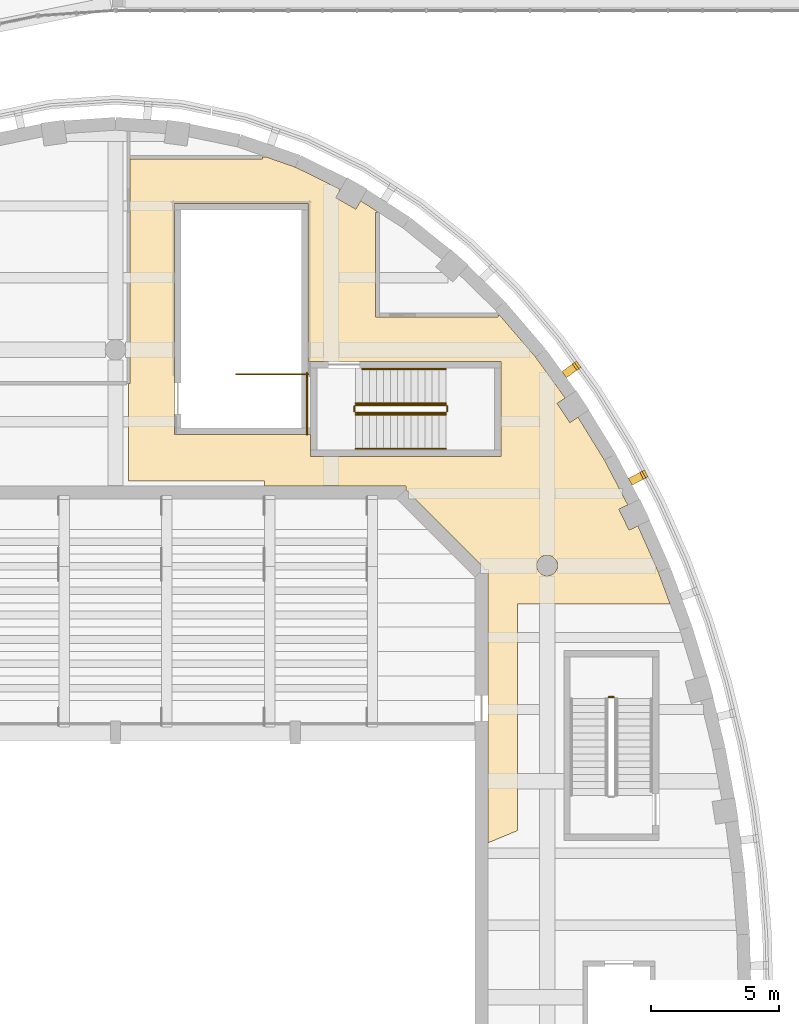
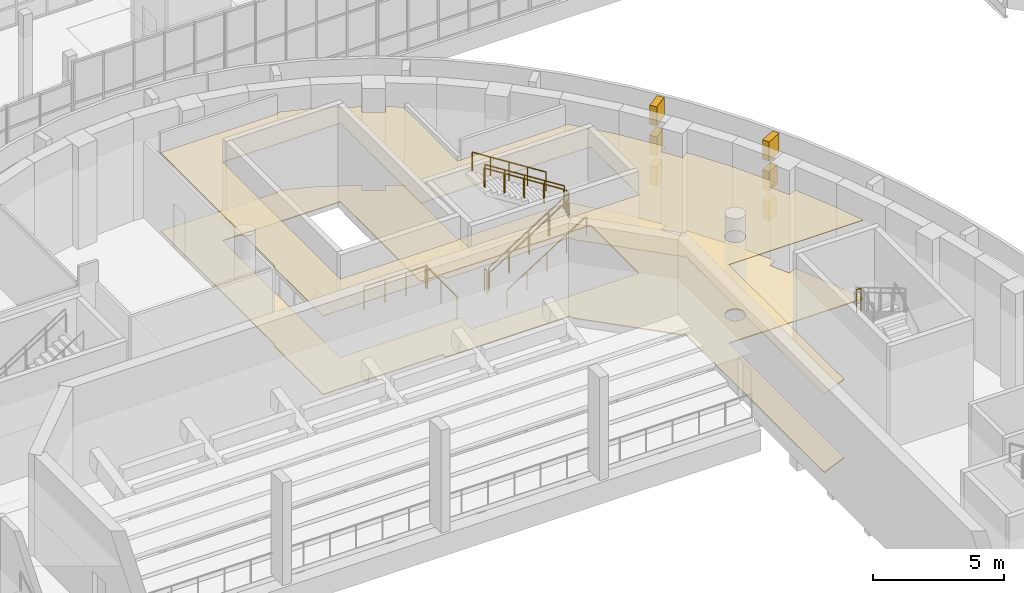
# One storey, part 97 of 103: 11 railings, 8 coverings.
"""IFC4 building model written with IfcOpenShell, lengths in metres."""

from ifc_helpers import new_model, si_unit, direction, frame, origin, origin_2d, place, context, subcontext, project, spatial, polyline, rectangle, circle, outline, extrude, material, layer, layer_set, type_object, element, save


model = new_model("IFC4")

# Units and contexts
model_context = context("Model", 3, precision=1e-05, world=origin(), true_north=direction((0.0, 1.0)))
body_context = subcontext(model_context, "Body", "Model", "MODEL_VIEW")
ifc_project = project(units=[si_unit("LENGTHUNIT", "METRE"), si_unit("AREAUNIT", "SQUARE_METRE"), si_unit("VOLUMEUNIT", "CUBIC_METRE"), si_unit("PLANEANGLEUNIT", "RADIAN"), si_unit("MASSUNIT", "GRAM", prefix="KILO")], contexts=[model_context])

# Site, building, storey
site_placement = place(None, origin())
site = spatial("IfcSite", under=ifc_project, at=site_placement, CompositionType="ELEMENT")
building_placement = place(site_placement, origin())
building = spatial("IfcBuilding", under=site, at=building_placement, Name="Larchfold Concert Hall", CompositionType="ELEMENT")
storey_placement = place(building_placement, frame((0.0, 0.0, 9.60009765625)))
storey = spatial("IfcBuildingStorey", under=building, at=storey_placement, Name="L02", CompositionType="ELEMENT", Elevation=9.60009765625)

# Coverings
ifc_material_1 = material(Name="Plasterboard ceiling lining")
ifc_layer_1 = layer(ifc_material_1, 0.030029296875)
ifc_layer_set_1 = layer_set([ifc_layer_1], Name="Plasterboard ceiling lining")
covering_type_1 = type_object("IfcCoveringType", Name="Ceiling suspended plasterboard 30", PredefinedType="CEILING", material=ifc_layer_set_1)
covering_1_placement = place(storey_placement, frame((0.0, 0.0, 3.669921875)))
element("IfcCovering", 1, at=covering_1_placement, inside=storey, type_object=covering_type_1, Name="Ceiling Hall Foyer North East", PredefinedType="CEILING", context=body_context, shape_type="SweptSolid", body=[
    extrude(outline(polyline([(43.16357421875, 108.47998046875), (43.100830078125, 108.47998046875), (43.100830078125, 104.700927734375), (48.391845703125, 104.700927734375), (48.40087890625, 104.69189453125), (48.40087890625, 104.5), (53.89990234375, 104.5), (53.89990234375, 104.353759765625), (56.9541015625, 101.299560546875), (56.92724609375, 101.272705078125), (56.948974609375, 101.251220703125), (57.10009765625, 101.251220703125), (57.10009765625, 90.606201171875), (58.25, 91.08251953125), (58.252197265625, 99.896484375), (64.19384765625, 99.900146484375), (63.731201171875, 101.1513671875), (62.93701171875, 102.948974609375), (62.58984375, 102.781982421875), (62.199951171875, 103.59326171875), (62.546875, 103.759765625), (61.635498046875, 105.50341796875), (60.60595703125, 107.17626953125), (60.287353515625, 106.963623046875), (59.787841796875, 107.712158203125), (60.10595703125, 107.924560546875), (58.953857421875, 109.514892578125), (57.553955078125, 111.149169921875), (57.4990234375, 111.149169921875), (57.4990234375, 111.073974609375), (52.72900390625, 111.075927734375), (52.72509765625, 115.136962890625), (52.800048828125, 115.136962890625), (52.800048828125, 115.1767578125), (52.14208984375, 115.600830078125), (51.95703125, 115.275390625), (51.1748046875, 115.72021484375), (51.359130859375, 116.04443359375), (49.609130859375, 116.90771484375), (48.48388671875, 117.299560546875), (48.327880859375, 117.299560546875), (48.327880859375, 117.235595703125), (43.16357421875, 117.236572265625), (43.16357421875, 108.47998046875)]), holes=[polyline([(59.29638671875, 101.013427734375), (59.199951171875, 101.053466796875), (59.156494140625, 101.08251953125), (59.08251953125, 101.156494140625), (59.0302734375, 101.246826171875), (59.013427734375, 101.29638671875), (59.00341796875, 101.34765625), (59.00341796875, 101.4521484375), (59.0302734375, 101.552978515625), (59.053466796875, 101.599853515625), (59.08251953125, 101.643310546875), (59.156494140625, 101.71728515625), (59.246826171875, 101.76953125), (59.29638671875, 101.786376953125), (59.39990234375, 101.7998046875), (59.4521484375, 101.79638671875), (59.50341796875, 101.786376953125), (59.599853515625, 101.746337890625), (59.643310546875, 101.71728515625), (59.71728515625, 101.643310546875), (59.76953125, 101.552978515625), (59.786376953125, 101.50341796875), (59.79638671875, 101.4521484375), (59.79638671875, 101.34765625), (59.76953125, 101.246826171875), (59.746337890625, 101.199951171875), (59.71728515625, 101.156494140625), (59.643310546875, 101.08251953125), (59.552978515625, 101.0302734375), (59.50341796875, 101.013427734375), (59.39990234375, 101.0), (59.34765625, 101.00341796875), (59.29638671875, 101.013427734375)]), polyline([(50.10009765625, 109.35009765625), (57.60009765625, 109.35009765625), (57.60009765625, 105.64990234375), (50.199951171875, 105.64990234375), (50.199951171875, 106.5), (44.89990234375, 106.5), (44.89990234375, 115.5), (50.10009765625, 115.5), (50.10009765625, 109.35009765625)])]), origin(), (0.0, 0.0, 1.0), 0.030029296875),
])
ifc_material_2 = material(Name="Polished terrazzo")
ifc_layer_2 = layer(ifc_material_2, 0.0400390625)
ifc_layer_set_2 = layer_set([ifc_layer_2], Name="Polished terrazzo")
covering_type_2 = type_object("IfcCoveringType", Name="Floor finish terrazzo 40", PredefinedType="FLOORING", material=ifc_layer_set_2)
covering_2_placement = place(storey_placement, origin())
element("IfcCovering", 2, at=covering_2_placement, inside=storey, type_object=covering_type_2, Name="Floor finish Hall Foyer North East", PredefinedType="FLOORING", context=body_context, shape_type="SweptSolid", body=[
    extrude(outline(polyline([(43.16357421875, 108.47998046875), (43.100830078125, 108.47998046875), (43.100830078125, 104.700927734375), (48.391845703125, 104.700927734375), (48.40087890625, 104.69189453125), (48.40087890625, 104.5), (53.89990234375, 104.5), (53.89990234375, 104.353759765625), (56.9541015625, 101.299560546875), (56.92724609375, 101.272705078125), (56.948974609375, 101.251220703125), (57.10009765625, 101.251220703125), (57.10009765625, 90.606201171875), (58.25, 91.08251953125), (58.252197265625, 99.896484375), (64.19384765625, 99.900146484375), (63.731201171875, 101.1513671875), (62.93701171875, 102.948974609375), (62.58984375, 102.781982421875), (62.199951171875, 103.59326171875), (62.546875, 103.759765625), (61.635498046875, 105.50341796875), (60.60595703125, 107.17626953125), (60.287353515625, 106.963623046875), (59.787841796875, 107.712158203125), (60.10595703125, 107.924560546875), (58.953857421875, 109.514892578125), (57.553955078125, 111.149169921875), (57.4990234375, 111.149169921875), (57.4990234375, 111.073974609375), (52.72900390625, 111.075927734375), (52.72509765625, 115.136962890625), (52.800048828125, 115.136962890625), (52.800048828125, 115.1767578125), (52.14208984375, 115.600830078125), (51.95703125, 115.275390625), (51.1748046875, 115.72021484375), (51.359130859375, 116.04443359375), (49.609130859375, 116.90771484375), (48.48388671875, 117.299560546875), (48.327880859375, 117.299560546875), (48.327880859375, 117.235595703125), (43.16357421875, 117.236572265625), (43.16357421875, 108.47998046875)]), holes=[polyline([(59.29638671875, 101.013427734375), (59.199951171875, 101.053466796875), (59.156494140625, 101.08251953125), (59.08251953125, 101.156494140625), (59.0302734375, 101.246826171875), (59.013427734375, 101.29638671875), (59.00341796875, 101.34765625), (59.00341796875, 101.4521484375), (59.0302734375, 101.552978515625), (59.053466796875, 101.599853515625), (59.08251953125, 101.643310546875), (59.156494140625, 101.71728515625), (59.246826171875, 101.76953125), (59.29638671875, 101.786376953125), (59.39990234375, 101.7998046875), (59.4521484375, 101.79638671875), (59.50341796875, 101.786376953125), (59.599853515625, 101.746337890625), (59.643310546875, 101.71728515625), (59.71728515625, 101.643310546875), (59.76953125, 101.552978515625), (59.786376953125, 101.50341796875), (59.79638671875, 101.4521484375), (59.79638671875, 101.34765625), (59.76953125, 101.246826171875), (59.746337890625, 101.199951171875), (59.71728515625, 101.156494140625), (59.643310546875, 101.08251953125), (59.552978515625, 101.0302734375), (59.50341796875, 101.013427734375), (59.39990234375, 101.0), (59.34765625, 101.00341796875), (59.29638671875, 101.013427734375)]), polyline([(50.10009765625, 109.35009765625), (57.60009765625, 109.35009765625), (57.60009765625, 105.64990234375), (50.199951171875, 105.64990234375), (50.199951171875, 106.5), (44.89990234375, 106.5), (44.89990234375, 115.5), (50.10009765625, 115.5), (50.10009765625, 109.35009765625)])]), origin(), (0.0, 0.0, 1.0), 0.0400390625),
])
ifc_material_3 = material(Name="Galvanised steel bracket", Category="steel")
ifc_layer_3 = layer(ifc_material_3, 0.300048828125)
ifc_layer_set_3 = layer_set([ifc_layer_3], Name="Galvanised steel bracket")
covering_type_3 = type_object("IfcCoveringType", Name="Ring support bracket", PredefinedType="CLADDING", material=ifc_layer_set_3)
for number, where, z_axis, x_axis, name in (
    (3, (62.860107421875, 104.779541015625, 1.349853515625), (0.0, 0.0, 1.0), (0.88627377699, 0.463161734409, 0.0), "Ring bracket BR-R03-05"),
    (4, (60.26904296875, 108.977783203125, 1.349853515625), (0.0, 0.0, 1.0), (0.809814943436, 0.586685398989, 0.0), "Ring bracket BR-R03-06"),
):
    element("IfcCovering", number, at=place(storey_placement, frame(where, z_axis=z_axis, x_axis=x_axis)), inside=storey, type_object=covering_type_3, Name=name, PredefinedType="CLADDING", context=body_context, shape_type="SweptSolid", body=[
        extrude(rectangle(XDim=0.5, YDim=0.300048828125, at=origin_2d()), origin(), (0.0, 0.0, 1.0), 0.89990234375),
    ])
for number, where, z_axis, x_axis, name in (
    (5, (62.904541015625, 104.802734375, 2.75), (0.0, 0.0, 1.0), (0.88627377699, 0.463161734409, 0.0), "Ring bracket BR-R04-05"),
    (6, (60.3095703125, 109.007080078125, 2.75), (0.0, 0.0, 1.0), (0.809814943436, 0.586685398989, 0.0), "Ring bracket BR-R04-06"),
):
    element("IfcCovering", number, at=place(storey_placement, frame(where, z_axis=z_axis, x_axis=x_axis)), inside=storey, type_object=covering_type_3, Name=name, PredefinedType="CLADDING", context=body_context, shape_type="SweptSolid", body=[
        extrude(rectangle(XDim=0.60009765625, YDim=0.300048828125, at=origin_2d()), origin(), (0.0, 0.0, 1.0), 0.89990234375),
    ])
for number, where, z_axis, x_axis, name in (
    (7, (62.94873046875, 104.825927734375, 4.14990234375), (0.0, 0.0, 1.0), (0.88627377699, 0.463161734409, 0.0), "Ring bracket BR-R05-05"),
    (8, (60.349853515625, 109.03662109375, 4.14990234375), (0.0, 0.0, 1.0), (0.809814943436, 0.586685398989, 0.0), "Ring bracket BR-R05-06"),
):
    element("IfcCovering", number, at=place(storey_placement, frame(where, z_axis=z_axis, x_axis=x_axis)), inside=storey, type_object=covering_type_3, Name=name, PredefinedType="CLADDING", context=body_context, shape_type="SweptSolid", body=[
        extrude(rectangle(XDim=0.699951171875, YDim=0.300048828125, at=origin_2d()), origin(), (0.0, 0.0, 1.0), 0.89990234375),
    ])

# Railings
ifc_material_4 = material(Name="Stainless steel balustrade", Category="steel")
railing_type_1 = type_object("IfcRailingType", Name="Stair guard 1100", PredefinedType="GUARDRAIL", material=ifc_material_4)
railing_1_placement = place(storey_placement, frame((62.0, 96.280029296875, 2.39990234375)))
element("IfcRailing", 9, at=railing_1_placement, inside=storey, type_object=railing_type_1, Name="Guard GR0004", PredefinedType="GUARDRAIL", context=body_context, shape_type="SweptSolid", body=[
    extrude(circle(Radius=0.02392578125, at=origin_2d()), frame((0.0, 0.0, 1.076171875), z_axis=(-1.0, 0.0, 0.0), x_axis=(0.0, -1.0, 0.0)), (0.0, 0.0, 1.0), 0.199951171875),
    extrude(circle(Radius=0.02099609375, at=origin_2d()), origin(), (0.0, 0.0, 1.0), 1.052001953125),
    extrude(circle(Radius=0.02099609375, at=origin_2d()), frame((-0.199951171875, 0.0, 0.0)), (0.0, 0.0, 1.0), 1.052001953125),
])
railing_2_placement = place(storey_placement, frame((51.949951171875, 107.349853515625, 0.17138671875)))
element("IfcRailing", 10, at=railing_2_placement, inside=storey, type_object=railing_type_1, Name="Guard GR0007", PredefinedType="GUARDRAIL", context=body_context, shape_type="SweptSolid", body=[
    extrude(circle(Radius=0.02392578125, at=origin_2d()), frame((0.0, 0.0, 1.076171875), z_axis=(0.844219563411, 0.0, 0.53599750816), x_axis=(0.0, 1.0, 0.0)), (0.0, 0.0, 1.0), 4.15771484375),
    extrude(circle(Radius=0.02099609375, at=origin_2d()), origin(), (0.0, 0.0, 1.0), 1.052001953125),
    extrude(circle(Radius=0.02099609375, at=origin_2d()), frame((0.87744140625, 0.0, 0.55712890625)), (0.0, 0.0, 1.0), 1.052001953125),
    extrude(circle(Radius=0.02099609375, at=origin_2d()), frame((1.7548828125, 0.0, 1.1142578125)), (0.0, 0.0, 1.0), 1.052001953125),
    extrude(circle(Radius=0.02099609375, at=origin_2d()), frame((2.632568359375, 0.0, 1.67138671875)), (0.0, 0.0, 1.0), 1.052001953125),
    extrude(circle(Radius=0.02099609375, at=origin_2d()), frame((3.510009765625, 0.0, 2.228515625)), (0.0, 0.0, 1.0), 1.052001953125),
])
railing_3_placement = place(storey_placement, frame((55.510009765625, 107.39990234375, 2.39990234375)))
element("IfcRailing", 11, at=railing_3_placement, inside=storey, type_object=railing_type_1, Name="Guard GR0008", PredefinedType="GUARDRAIL", context=body_context, shape_type="SweptSolid", body=[
    extrude(circle(Radius=0.02392578125, at=origin_2d()), frame((0.0, 0.0, 1.076171875), z_axis=(0.0, 1.0, 0.0), x_axis=(-1.0, 0.0, 0.0)), (0.0, 0.0, 1.0), 0.199951171875),
    extrude(circle(Radius=0.02099609375, at=origin_2d()), origin(), (0.0, 0.0, 1.0), 1.052001953125),
    extrude(circle(Radius=0.02099609375, at=origin_2d()), frame((0.0, 0.199951171875, 0.0)), (0.0, 0.0, 1.0), 1.052001953125),
])
railing_4_placement = place(storey_placement, frame((55.4599609375, 107.64990234375, 2.5712890625)))
element("IfcRailing", 12, at=railing_4_placement, inside=storey, type_object=railing_type_1, Name="Guard GR0009", PredefinedType="GUARDRAIL", context=body_context, shape_type="SweptSolid", body=[
    extrude(circle(Radius=0.02392578125, at=origin_2d()), frame((0.0, 0.0, 1.076171875), z_axis=(-0.844219563411, 0.0, 0.53599750816), x_axis=(0.0, -1.0, 0.0)), (0.0, 0.0, 1.0), 4.15771484375),
    extrude(circle(Radius=0.02099609375, at=origin_2d()), origin(), (0.0, 0.0, 1.0), 1.052001953125),
    extrude(circle(Radius=0.02099609375, at=origin_2d()), frame((-0.87744140625, 0.0, 0.55712890625)), (0.0, 0.0, 1.0), 1.052001953125),
    extrude(circle(Radius=0.02099609375, at=origin_2d()), frame((-1.7548828125, 0.0, 1.1142578125)), (0.0, 0.0, 1.0), 1.052001953125),
    extrude(circle(Radius=0.02099609375, at=origin_2d()), frame((-2.632568359375, 0.0, 1.67138671875)), (0.0, 0.0, 1.0), 1.052001953125),
    extrude(circle(Radius=0.02099609375, at=origin_2d()), frame((-3.510009765625, 0.0, 2.228515625)), (0.0, 0.0, 1.0), 1.052001953125),
])
railing_5_placement = place(storey_placement, frame((51.89990234375, 107.39990234375, 0.0)))
element("IfcRailing", 13, at=railing_5_placement, inside=storey, type_object=railing_type_1, Name="Guard GR0010", PredefinedType="GUARDRAIL", context=body_context, shape_type="SweptSolid", body=[
    extrude(circle(Radius=0.02392578125, at=origin_2d()), frame((0.0, 0.0, 1.076171875), z_axis=(0.0, 1.0, 0.0), x_axis=(-1.0, 0.0, 0.0)), (0.0, 0.0, 1.0), 0.199951171875),
    extrude(circle(Radius=0.02099609375, at=origin_2d()), origin(), (0.0, 0.0, 1.0), 1.052001953125),
    extrude(circle(Radius=0.02099609375, at=origin_2d()), frame((0.0, 0.199951171875, 0.0)), (0.0, 0.0, 1.0), 1.052001953125),
])
railing_6_placement = place(storey_placement, frame((50.10009765625, 108.85009765625, 0.0)))
element("IfcRailing", 14, at=railing_6_placement, inside=storey, type_object=railing_type_1, Name="Guard GR0088", PredefinedType="GUARDRAIL", context=body_context, shape_type="SweptSolid", body=[
    extrude(circle(Radius=0.02392578125, at=origin_2d()), frame((0.0, 0.0, 1.076171875), z_axis=(-1.0, 0.0, 0.0), x_axis=(0.0, -1.0, 0.0)), (0.0, 0.0, 1.0), 2.800048828125),
    extrude(circle(Radius=0.02099609375, at=origin_2d()), origin(), (0.0, 0.0, 1.0), 1.052001953125),
    extrude(circle(Radius=0.02099609375, at=origin_2d()), frame((-0.933349609375, 0.0, 0.0)), (0.0, 0.0, 1.0), 1.052001953125),
    extrude(circle(Radius=0.02099609375, at=origin_2d()), frame((-1.86669921875, 0.0, 0.0)), (0.0, 0.0, 1.0), 1.052001953125),
    extrude(circle(Radius=0.02099609375, at=origin_2d()), frame((-2.800048828125, 0.0, 0.0)), (0.0, 0.0, 1.0), 1.052001953125),
])
railing_7_placement = place(storey_placement, frame((50.050048828125, 106.5, 0.0)))
element("IfcRailing", 15, at=railing_7_placement, inside=storey, type_object=railing_type_1, Name="Guard GR0092", PredefinedType="GUARDRAIL", context=body_context, shape_type="SweptSolid", body=[
    extrude(circle(Radius=0.02392578125, at=origin_2d()), frame((0.0, 0.0, 1.076171875), z_axis=(0.0, 1.0, 0.0), x_axis=(-1.0, 0.0, 0.0)), (0.0, 0.0, 1.0), 2.39990234375),
    extrude(circle(Radius=0.02099609375, at=origin_2d()), origin(), (0.0, 0.0, 1.0), 1.052001953125),
    extrude(circle(Radius=0.02099609375, at=origin_2d()), frame((0.0, 1.199951171875, 0.0)), (0.0, 0.0, 1.0), 1.052001953125),
    extrude(circle(Radius=0.02099609375, at=origin_2d()), frame((0.0, 2.39990234375, 0.0)), (0.0, 0.0, 1.0), 1.052001953125),
])
ifc_material_5 = material(Name="Stainless steel handrail", Category="steel")
railing_type_2 = type_object("IfcRailingType", Name="Stair handrail 900", PredefinedType="HANDRAIL", material=ifc_material_5)
railing_8_placement = place(storey_placement, frame((51.949951171875, 105.949951171875, 0.17138671875)))
element("IfcRailing", 16, at=railing_8_placement, inside=storey, type_object=railing_type_2, Name="Handrail HR0005", PredefinedType="HANDRAIL", context=body_context, shape_type="SweptSolid", body=[
    extrude(circle(Radius=0.02392578125, at=origin_2d()), frame((0.0, 0.0, 0.8759765625), z_axis=(0.844219563411, 0.0, 0.53599750816), x_axis=(0.0, 1.0, 0.0)), (0.0, 0.0, 1.0), 4.15771484375),
    extrude(circle(Radius=0.02099609375, at=origin_2d()), origin(), (0.0, 0.0, 1.0), 0.851806640625),
    extrude(circle(Radius=0.02099609375, at=origin_2d()), frame((0.87744140625, 0.0, 0.55712890625)), (0.0, 0.0, 1.0), 0.851806640625),
    extrude(circle(Radius=0.02099609375, at=origin_2d()), frame((1.7548828125, 0.0, 1.1142578125)), (0.0, 0.0, 1.0), 0.851806640625),
    extrude(circle(Radius=0.02099609375, at=origin_2d()), frame((2.632568359375, 0.0, 1.67138671875)), (0.0, 0.0, 1.0), 0.851806640625),
    extrude(circle(Radius=0.02099609375, at=origin_2d()), frame((3.510009765625, 0.0, 2.228515625)), (0.0, 0.0, 1.0), 0.851806640625),
])
railing_9_placement = place(storey_placement, frame((55.4599609375, 109.0498046875, 2.5712890625)))
element("IfcRailing", 17, at=railing_9_placement, inside=storey, type_object=railing_type_2, Name="Handrail HR0006", PredefinedType="HANDRAIL", context=body_context, shape_type="SweptSolid", body=[
    extrude(circle(Radius=0.02392578125, at=origin_2d()), frame((0.0, 0.0, 0.8759765625), z_axis=(-0.844207819342, 0.0, 0.536016005136), x_axis=(0.0, -1.0, 0.0)), (0.0, 0.0, 1.0), 3.861083984375),
    extrude(circle(Radius=0.02099609375, at=origin_2d()), origin(), (0.0, 0.0, 1.0), 0.851806640625),
    extrude(circle(Radius=0.02099609375, at=origin_2d()), frame((-0.81494140625, 0.0, 0.517333984375)), (0.0, 0.0, 1.0), 0.851806640625),
    extrude(circle(Radius=0.02099609375, at=origin_2d()), frame((-1.6298828125, 0.0, 1.03466796875)), (0.0, 0.0, 1.0), 0.851806640625),
    extrude(circle(Radius=0.02099609375, at=origin_2d()), frame((-2.444580078125, 0.0, 1.55224609375)), (0.0, 0.0, 1.0), 0.851806640625),
    extrude(circle(Radius=0.02099609375, at=origin_2d()), frame((-3.259521484375, 0.0, 2.069580078125)), (0.0, 0.0, 1.0), 0.851806640625),
])
railing_10_placement = place(storey_placement, frame((51.949951171875, 107.27978515625, 0.17138671875)))
element("IfcRailing", 18, at=railing_10_placement, inside=storey, type_object=railing_type_2, Name="Handrail HR0007", PredefinedType="HANDRAIL", context=body_context, shape_type="SweptSolid", body=[
    extrude(circle(Radius=0.02392578125, at=origin_2d()), frame((0.0, 0.0, 0.8759765625), z_axis=(0.844219563411, 0.0, 0.53599750816), x_axis=(0.0, 1.0, 0.0)), (0.0, 0.0, 1.0), 4.15771484375),
    extrude(circle(Radius=0.02099609375, at=origin_2d()), origin(), (0.0, 0.0, 1.0), 0.851806640625),
    extrude(circle(Radius=0.02099609375, at=origin_2d()), frame((0.87744140625, 0.0, 0.55712890625)), (0.0, 0.0, 1.0), 0.851806640625),
    extrude(circle(Radius=0.02099609375, at=origin_2d()), frame((1.7548828125, 0.0, 1.1142578125)), (0.0, 0.0, 1.0), 0.851806640625),
    extrude(circle(Radius=0.02099609375, at=origin_2d()), frame((2.632568359375, 0.0, 1.67138671875)), (0.0, 0.0, 1.0), 0.851806640625),
    extrude(circle(Radius=0.02099609375, at=origin_2d()), frame((3.510009765625, 0.0, 2.228515625)), (0.0, 0.0, 1.0), 0.851806640625),
])
railing_11_placement = place(storey_placement, frame((55.4599609375, 107.719970703125, 2.5712890625)))
element("IfcRailing", 19, at=railing_11_placement, inside=storey, type_object=railing_type_2, Name="Handrail HR0008", PredefinedType="HANDRAIL", context=body_context, shape_type="SweptSolid", body=[
    extrude(circle(Radius=0.02392578125, at=origin_2d()), frame((0.0, 0.0, 0.8759765625), z_axis=(-0.844219563411, 0.0, 0.53599750816), x_axis=(0.0, -1.0, 0.0)), (0.0, 0.0, 1.0), 4.15771484375),
    extrude(circle(Radius=0.02099609375, at=origin_2d()), origin(), (0.0, 0.0, 1.0), 0.851806640625),
    extrude(circle(Radius=0.02099609375, at=origin_2d()), frame((-0.87744140625, 0.0, 0.55712890625)), (0.0, 0.0, 1.0), 0.851806640625),
    extrude(circle(Radius=0.02099609375, at=origin_2d()), frame((-1.7548828125, 0.0, 1.1142578125)), (0.0, 0.0, 1.0), 0.851806640625),
    extrude(circle(Radius=0.02099609375, at=origin_2d()), frame((-2.632568359375, 0.0, 1.67138671875)), (0.0, 0.0, 1.0), 0.851806640625),
    extrude(circle(Radius=0.02099609375, at=origin_2d()), frame((-3.510009765625, 0.0, 2.228515625)), (0.0, 0.0, 1.0), 0.851806640625),
])

save(model, "model.ifc")
